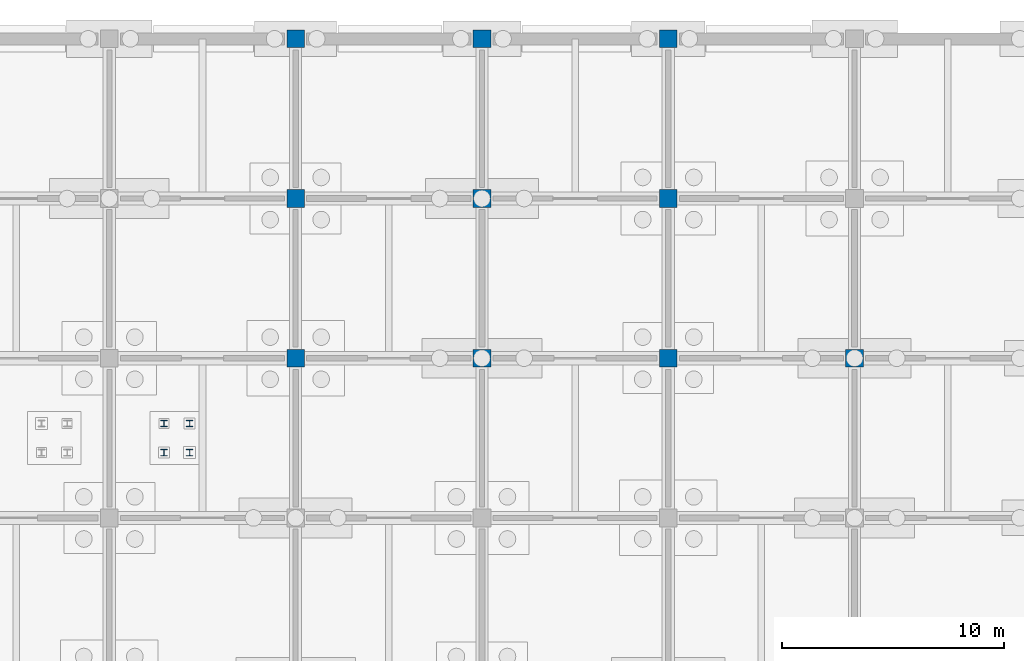
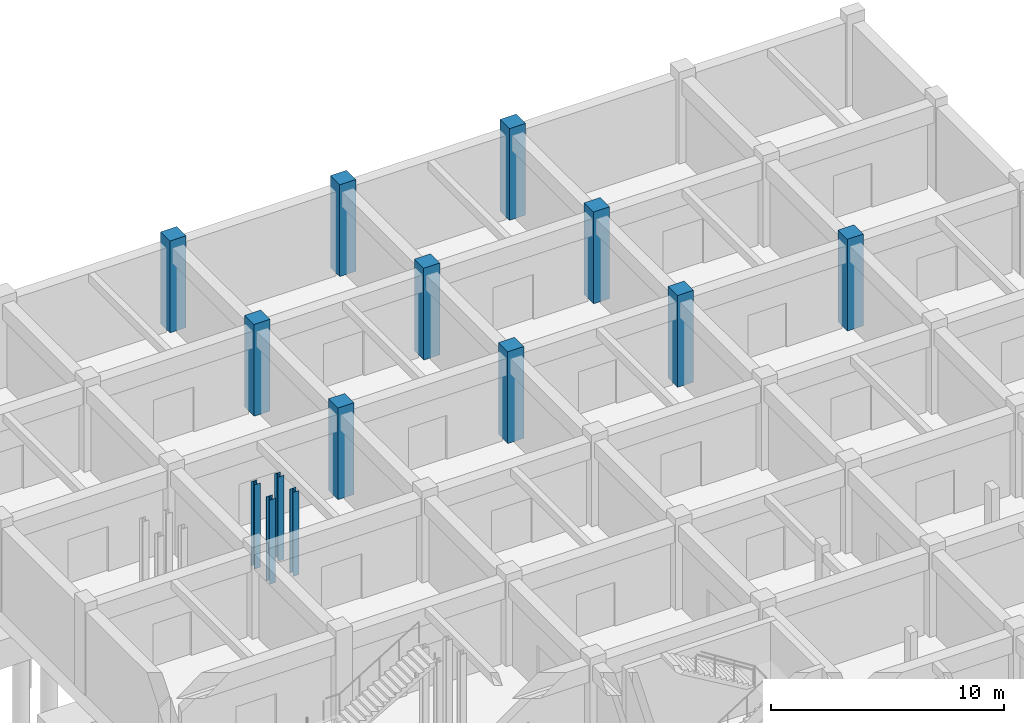
# One storey, part 16 of 38: 14 columns.
"""IFC4 building model written with IfcOpenShell, lengths in metres."""

from ifc_helpers import new_model, si_unit, derived_unit, direction, frame, origin, origin_2d, place, context, subcontext, project, spatial, rectangle, i_section, extrude, material, material_profile, profile_set, type_object, element, save


model = new_model("IFC4")

# Units and contexts
model_context = context("Model", 3, precision=1e-05, world=origin(), true_north=direction((0.0, 1.0)))
body_context = subcontext(model_context, "Body", "Model", "MODEL_VIEW")
ifc_project = project(units=[si_unit("LENGTHUNIT", "METRE"), si_unit("AREAUNIT", "SQUARE_METRE"), si_unit("VOLUMEUNIT", "CUBIC_METRE"), si_unit("PLANEANGLEUNIT", "RADIAN"), si_unit("MASSUNIT", "GRAM", prefix="KILO"), derived_unit("THERMALTRANSMITTANCEUNIT", [(si_unit("MASSUNIT", "GRAM", prefix="KILO"), 1), (si_unit("TIMEUNIT", "SECOND"), -3), (si_unit("THERMODYNAMICTEMPERATUREUNIT", "KELVIN"), -1)])], contexts=[model_context])

# Site, building, storey
site_placement = place(None, origin())
site = spatial("IfcSite", under=ifc_project, at=site_placement, CompositionType="ELEMENT")
building_placement = place(site_placement, origin())
building = spatial("IfcBuilding", under=site, at=building_placement, Name="Veldstrom Oceanarium and Marine Research Institute", CompositionType="ELEMENT")
storey_placement = place(building_placement, frame((0.0, 0.0, -9.60009765625)))
storey = spatial("IfcBuildingStorey", under=building, at=storey_placement, Name="B02", CompositionType="ELEMENT", Elevation=-9.60009765625)

# Columns
ifc_material_1 = material(Name="Concrete C50/60", Category="concrete")
ifc_material_profile_1 = material_profile(ifc_material_1, rectangle(XDim=0.800048828125, YDim=0.800048828125, at=origin_2d()), Name="RC-COL-800x800")
ifc_profile_set_1 = profile_set([ifc_material_profile_1], Name="Concrete C50/60")
column_type_1 = type_object("IfcColumnType", Name="STR-COL-C04", PredefinedType="COLUMN", material=ifc_profile_set_1)
for number, where, z_axis, x_axis, name in (
    (1, (134.39990234375, 100.800048828125, 0.0), (0.0, 0.0, 1.0), (1.0, 0.0, 0.0), "Column C04 17/Q B02"),
    (2, (134.39990234375, 108.0, 0.0), (0.0, 0.0, 1.0), (1.0, 0.0, 0.0), "Column C04 17/R B02"),
    (3, (134.39990234375, 115.199951171875, 0.0), (0.0, 0.0, 1.0), (1.0, 0.0, 0.0), "Column C04 17/S B02"),
    (4, (142.800048828125, 100.800048828125, 0.0), (0.0, 0.0, 1.0), (1.0, 0.0, 0.0), "Column C04 18/Q B02"),
    (5, (142.800048828125, 108.0, 0.0), (0.0, 0.0, 1.0), (1.0, 0.0, 0.0), "Column C04 18/R B02"),
    (6, (142.800048828125, 115.199951171875, 0.0), (0.0, 0.0, 1.0), (1.0, 0.0, 0.0), "Column C04 18/S B02"),
    (7, (151.199951171875, 100.800048828125, 0.0), (0.0, 0.0, 1.0), (1.0, 0.0, 0.0), "Column C04 19/Q B02"),
    (8, (151.199951171875, 108.0, 0.0), (0.0, 0.0, 1.0), (1.0, 0.0, 0.0), "Column C04 19/R B02"),
    (9, (151.199951171875, 115.199951171875, 0.0), (0.0, 0.0, 1.0), (1.0, 0.0, 0.0), "Column C04 19/S B02"),
    (10, (159.60009765625, 100.800048828125, 0.0), (0.0, 0.0, 1.0), (1.0, 0.0, 0.0), "Column C04 20/Q B02"),
):
    element("IfcColumn", number, at=place(storey_placement, frame(where, z_axis=z_axis, x_axis=x_axis)), inside=storey, type_object=column_type_1, Name=name, PredefinedType="COLUMN", context=body_context, shape_type="SweptSolid", body=[
        extrude(rectangle(XDim=0.800048828125, YDim=0.800048828125, at=origin_2d()), origin(), (0.0, 0.0, 1.0), 4.800048828125),
    ])
ifc_material_2 = material(Name="Steel S355JR", Category="steel")
ifc_material_profile_2 = material_profile(ifc_material_2, i_section(OverallWidth=0.300048828125, OverallDepth=0.300048828125, WebThickness=0.010986328125, FlangeThickness=0.01904296875, FilletRadius=0.027099609375, at=origin_2d()), Name="HEB 300")
ifc_profile_set_2 = profile_set([ifc_material_profile_2], Name="Steel S355JR")
column_type_2 = type_object("IfcColumnType", Name="STR-COL-C16", PredefinedType="COLUMN", material=ifc_profile_set_2)
for number, where, z_axis, x_axis, name in (
    (11, (128.4599609375, 96.544921875, 0.0), (0.0, 0.0, 1.0), (1.0, 0.0, 0.0), "Gallery Stair TOP Sub-Column ST5-06-B02-1"),
    (12, (129.6201171875, 96.544921875, 0.0), (0.0, 0.0, 1.0), (1.0, 0.0, 0.0), "Gallery Stair TOP Sub-Column ST5-06-B02-2"),
    (13, (128.4599609375, 97.85498046875, 0.0), (0.0, 0.0, 1.0), (1.0, 0.0, 0.0), "Gallery Stair TOP Sub-Column ST5-06-B02-3"),
    (14, (129.6201171875, 97.85498046875, 0.0), (0.0, 0.0, 1.0), (1.0, 0.0, 0.0), "Gallery Stair TOP Sub-Column ST5-06-B02-4"),
):
    element("IfcColumn", number, at=place(storey_placement, frame(where, z_axis=z_axis, x_axis=x_axis)), inside=storey, type_object=column_type_2, Name=name, PredefinedType="COLUMN", context=body_context, shape_type="SweptSolid", body=[
        extrude(i_section(OverallWidth=0.300048828125, OverallDepth=0.300048828125, WebThickness=0.010986328125, FlangeThickness=0.01904296875, FilletRadius=0.027099609375, at=origin_2d()), origin(), (0.0, 0.0, 1.0), 4.400146484375),
    ])

save(model, "model.ifc")
